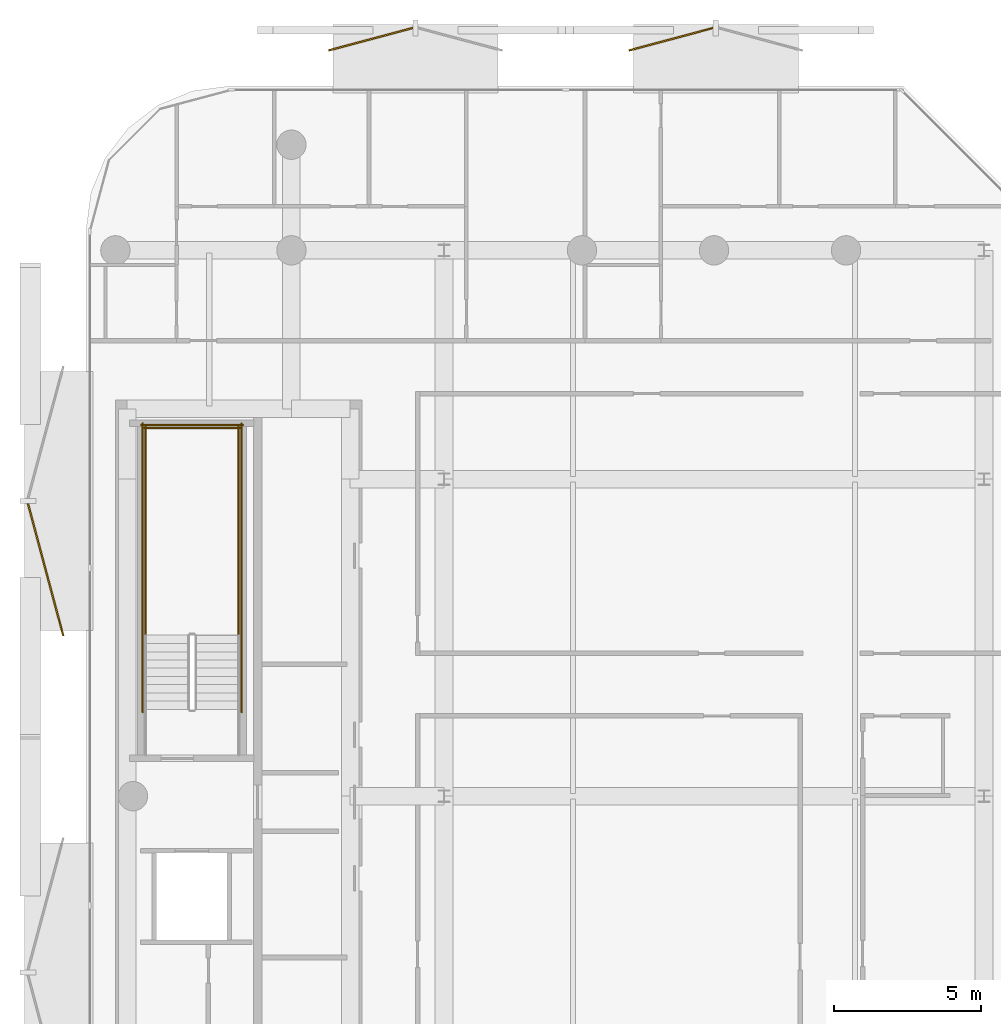
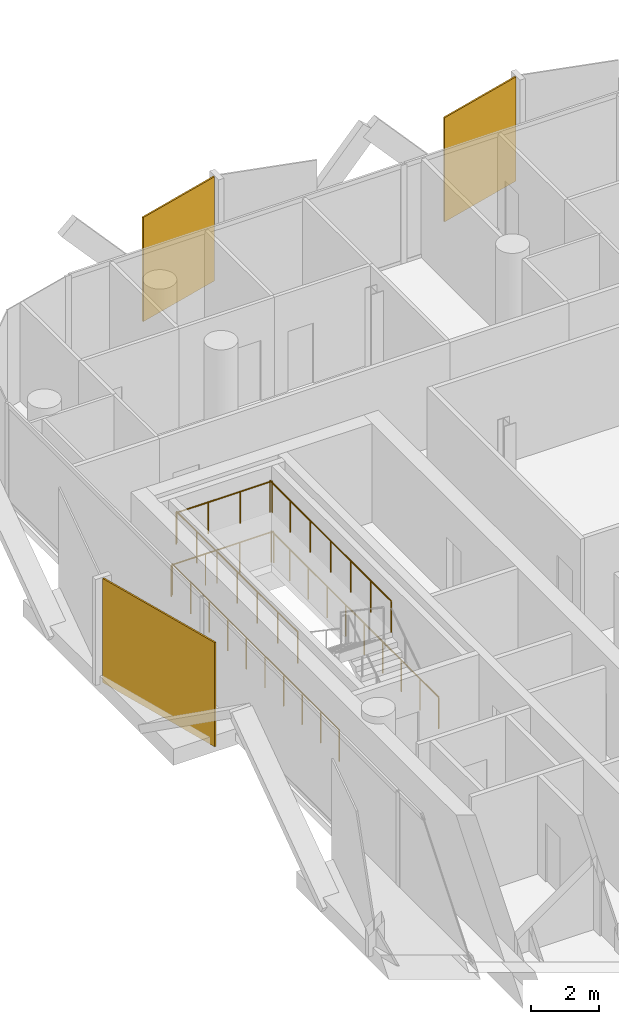
# One storey, part 17 of 17: 6 railings, 3 coverings.
"""IFC4 building model written with IfcOpenShell, lengths in metres."""

from ifc_helpers import new_model, si_unit, direction, frame, origin, origin_2d, place, context, subcontext, project, spatial, rectangle, circle, extrude, material, layer, layer_set, type_object, element, save


model = new_model("IFC4")

# Units and contexts
model_context = context("Model", 3, precision=1e-05, world=origin(), true_north=direction((0.0, 1.0)))
body_context = subcontext(model_context, "Body", "Model", "MODEL_VIEW")
ifc_project = project(units=[si_unit("LENGTHUNIT", "METRE"), si_unit("AREAUNIT", "SQUARE_METRE"), si_unit("VOLUMEUNIT", "CUBIC_METRE"), si_unit("PLANEANGLEUNIT", "RADIAN"), si_unit("MASSUNIT", "GRAM", prefix="KILO")], contexts=[model_context])

# Site, building, storey
site_placement = place(None, origin())
site = spatial("IfcSite", under=ifc_project, at=site_placement, CompositionType="ELEMENT")
building_placement = place(site_placement, origin())
building = spatial("IfcBuilding", under=site, at=building_placement, Name="Khairoan Windgate Tower", CompositionType="ELEMENT")
storey_placement = place(building_placement, frame((0.0, 0.0, 308.0)))
storey = spatial("IfcBuildingStorey", under=building, at=storey_placement, Name="L74", CompositionType="ELEMENT", Elevation=308.0)

# Coverings
ifc_material_1 = material(Name="Anodised Bronze Aluminium 6063-T6", Category="aluminium")
ifc_layer = layer(ifc_material_1, 0.054931640625, Name="Anodised Bronze Aluminium 6063-T6")
ifc_layer_set = layer_set([ifc_layer], Name="Anodised Bronze Aluminium 6063-T6")
covering_type = type_object("IfcCoveringType", Name="Perforated Bronze-Ceramic Folded Solar Screen Cladding BSC-1", PredefinedType="CLADDING", material=ifc_layer_set)
covering_placement = place(storey_placement, frame((-22.777099609375, 7.717529296875, -0.10009765625), z_axis=(0.0, 0.0, 1.0), x_axis=(-0.258819045103, 0.965925826289, 0.0)))
element("IfcCovering", 1, at=covering_placement, inside=storey, type_object=covering_type, Name="L74 Folded Bronze Solar Screen Facet 521L", PredefinedType="CLADDING", context=body_context, shape_type="SweptSolid", body=[
    extrude(rectangle(XDim=4.658935546875, YDim=0.054931640625, at=origin_2d()), origin(), (0.0, 0.0, 1.0), 3.739990234375),
])
for number, where, z_axis, x_axis, name in (
    (2, (-11.696533203125, 25.7958984375, -0.10009765625), (0.0, 0.0, 1.0), (0.965925826289, 0.258819045103, 0.0), "L74 Folded Bronze Solar Screen Facet 522L"),
    (3, (-1.460205078125, 25.7958984375, -0.10009765625), (0.0, 0.0, 1.0), (0.965925826289, 0.258819045103, 0.0), "L74 Folded Bronze Solar Screen Facet 523L"),
):
    element("IfcCovering", number, at=place(storey_placement, frame(where, z_axis=z_axis, x_axis=x_axis)), inside=storey, type_object=covering_type, Name=name, PredefinedType="CLADDING", context=body_context, shape_type="SweptSolid", body=[
        extrude(rectangle(XDim=2.968994140625, YDim=0.054931640625, at=origin_2d()), origin(), (0.0, 0.0, 1.0), 3.739990234375),
    ])

# Railings
ifc_material_2 = material(Name="Steel S355", Category="steel")
railing_type = type_object("IfcRailingType", Name="Stairwell Safety Guardrail SGR-1150", PredefinedType="GUARDRAIL", material=ifc_material_2)
for number, where, name in (
    (4, (-16.199951171875, 5.47998046875, 1.89990234375), "L74 ST2 stair guard 3"),
    (5, (-19.3701171875, 5.47998046875, 1.89990234375), "L74 ST2 stair guard 4"),
):
    element("IfcRailing", number, at=place(storey_placement, frame(where)), inside=storey, type_object=railing_type, Name=name, PredefinedType="GUARDRAIL", context=body_context, shape_type="SweptSolid", body=[
        extrude(circle(Radius=0.02392578125, at=origin_2d()), frame((0.0, 0.0, 1.1259765625), z_axis=(0.0, 1.0, 0.0), x_axis=(-1.0, 0.0, 0.0)), (0.0, 0.0, 1.0), 7.1201171875),
        extrude(circle(Radius=0.02099609375, at=origin_2d()), origin(), (0.0, 0.0, 1.0), 1.101806640625),
        extrude(circle(Radius=0.02099609375, at=origin_2d()), frame((0.0, 1.186767578125, 0.0)), (0.0, 0.0, 1.0), 1.101806640625),
        extrude(circle(Radius=0.02099609375, at=origin_2d()), frame((0.0, 2.373291015625, 0.0)), (0.0, 0.0, 1.0), 1.101806640625),
        extrude(circle(Radius=0.02099609375, at=origin_2d()), frame((0.0, 3.56005859375, 0.0)), (0.0, 0.0, 1.0), 1.101806640625),
        extrude(circle(Radius=0.02099609375, at=origin_2d()), frame((0.0, 4.746826171875, 0.0)), (0.0, 0.0, 1.0), 1.101806640625),
        extrude(circle(Radius=0.02099609375, at=origin_2d()), frame((0.0, 5.933349609375, 0.0)), (0.0, 0.0, 1.0), 1.101806640625),
        extrude(circle(Radius=0.02099609375, at=origin_2d()), frame((0.0, 7.1201171875, 0.0)), (0.0, 0.0, 1.0), 1.101806640625),
    ])
railing_1_placement = place(storey_placement, frame((-16.14990234375, 12.550048828125, 1.89990234375)))
element("IfcRailing", 6, at=railing_1_placement, inside=storey, type_object=railing_type, Name="L74 ST2 stair guard 5", PredefinedType="GUARDRAIL", context=body_context, shape_type="SweptSolid", body=[
    extrude(circle(Radius=0.02392578125, at=origin_2d()), frame((0.0, 0.0, 1.1259765625), z_axis=(-1.0, 0.0, 0.0), x_axis=(0.0, -1.0, 0.0)), (0.0, 0.0, 1.0), 3.27001953125),
    extrude(circle(Radius=0.02099609375, at=origin_2d()), origin(), (0.0, 0.0, 1.0), 1.101806640625),
    extrude(circle(Radius=0.02099609375, at=origin_2d()), frame((-1.090087890625, 0.0, 0.0)), (0.0, 0.0, 1.0), 1.101806640625),
    extrude(circle(Radius=0.02099609375, at=origin_2d()), frame((-2.179931640625, 0.0, 0.0)), (0.0, 0.0, 1.0), 1.101806640625),
    extrude(circle(Radius=0.02099609375, at=origin_2d()), frame((-3.27001953125, 0.0, 0.0)), (0.0, 0.0, 1.0), 1.101806640625),
])
for number, where, name in (
    (7, (-16.10009765625, 2.860107421875, 0.0), "L74 ST2 stair guard 10"),
    (8, (-19.469970703125, 2.860107421875, 0.0), "L74 ST2 stair guard 11"),
):
    element("IfcRailing", number, at=place(storey_placement, frame(where)), inside=storey, type_object=railing_type, Name=name, PredefinedType="GUARDRAIL", context=body_context, shape_type="SweptSolid", body=[
        extrude(circle(Radius=0.02392578125, at=origin_2d()), frame((0.0, 0.0, 1.1259765625), z_axis=(0.0, 1.0, 0.0), x_axis=(-1.0, 0.0, 0.0)), (0.0, 0.0, 1.0), 9.83984375),
        extrude(circle(Radius=0.02099609375, at=origin_2d()), origin(), (0.0, 0.0, 1.0), 1.101806640625),
        extrude(circle(Radius=0.02099609375, at=origin_2d()), frame((0.0, 1.09326171875, 0.0)), (0.0, 0.0, 1.0), 1.101806640625),
        extrude(circle(Radius=0.02099609375, at=origin_2d()), frame((0.0, 2.1865234375, 0.0)), (0.0, 0.0, 1.0), 1.101806640625),
        extrude(circle(Radius=0.02099609375, at=origin_2d()), frame((0.0, 3.280029296875, 0.0)), (0.0, 0.0, 1.0), 1.101806640625),
        extrude(circle(Radius=0.02099609375, at=origin_2d()), frame((0.0, 4.373291015625, 0.0)), (0.0, 0.0, 1.0), 1.101806640625),
        extrude(circle(Radius=0.02099609375, at=origin_2d()), frame((0.0, 5.466552734375, 0.0)), (0.0, 0.0, 1.0), 1.101806640625),
        extrude(circle(Radius=0.02099609375, at=origin_2d()), frame((0.0, 6.559814453125, 0.0)), (0.0, 0.0, 1.0), 1.101806640625),
        extrude(circle(Radius=0.02099609375, at=origin_2d()), frame((0.0, 7.6533203125, 0.0)), (0.0, 0.0, 1.0), 1.101806640625),
        extrude(circle(Radius=0.02099609375, at=origin_2d()), frame((0.0, 8.74658203125, 0.0)), (0.0, 0.0, 1.0), 1.101806640625),
        extrude(circle(Radius=0.02099609375, at=origin_2d()), frame((0.0, 9.83984375, 0.0)), (0.0, 0.0, 1.0), 1.101806640625),
    ])
railing_2_placement = place(storey_placement, frame((-16.050048828125, 12.64990234375, 0.0)))
element("IfcRailing", 9, at=railing_2_placement, inside=storey, type_object=railing_type, Name="L74 ST2 stair guard 12", PredefinedType="GUARDRAIL", context=body_context, shape_type="SweptSolid", body=[
    extrude(circle(Radius=0.02392578125, at=origin_2d()), frame((0.0, 0.0, 1.1259765625), z_axis=(-1.0, 0.0, 0.0), x_axis=(0.0, -1.0, 0.0)), (0.0, 0.0, 1.0), 3.469970703125),
    extrude(circle(Radius=0.02099609375, at=origin_2d()), origin(), (0.0, 0.0, 1.0), 1.101806640625),
    extrude(circle(Radius=0.02099609375, at=origin_2d()), frame((-1.15673828125, 0.0, 0.0)), (0.0, 0.0, 1.0), 1.101806640625),
    extrude(circle(Radius=0.02099609375, at=origin_2d()), frame((-2.313232421875, 0.0, 0.0)), (0.0, 0.0, 1.0), 1.101806640625),
    extrude(circle(Radius=0.02099609375, at=origin_2d()), frame((-3.469970703125, 0.0, 0.0)), (0.0, 0.0, 1.0), 1.101806640625),
])

save(model, "model.ifc")
